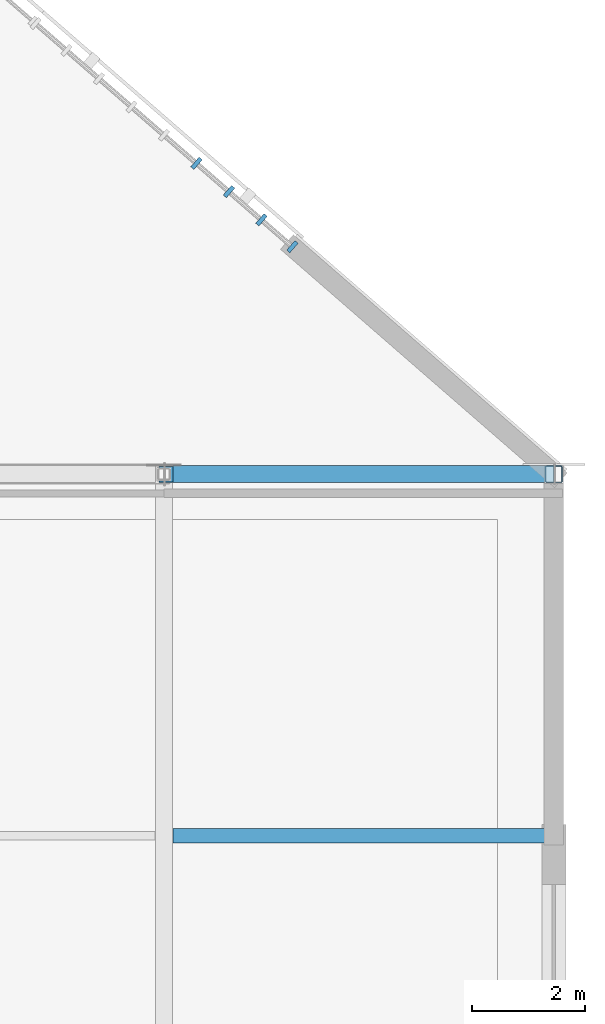
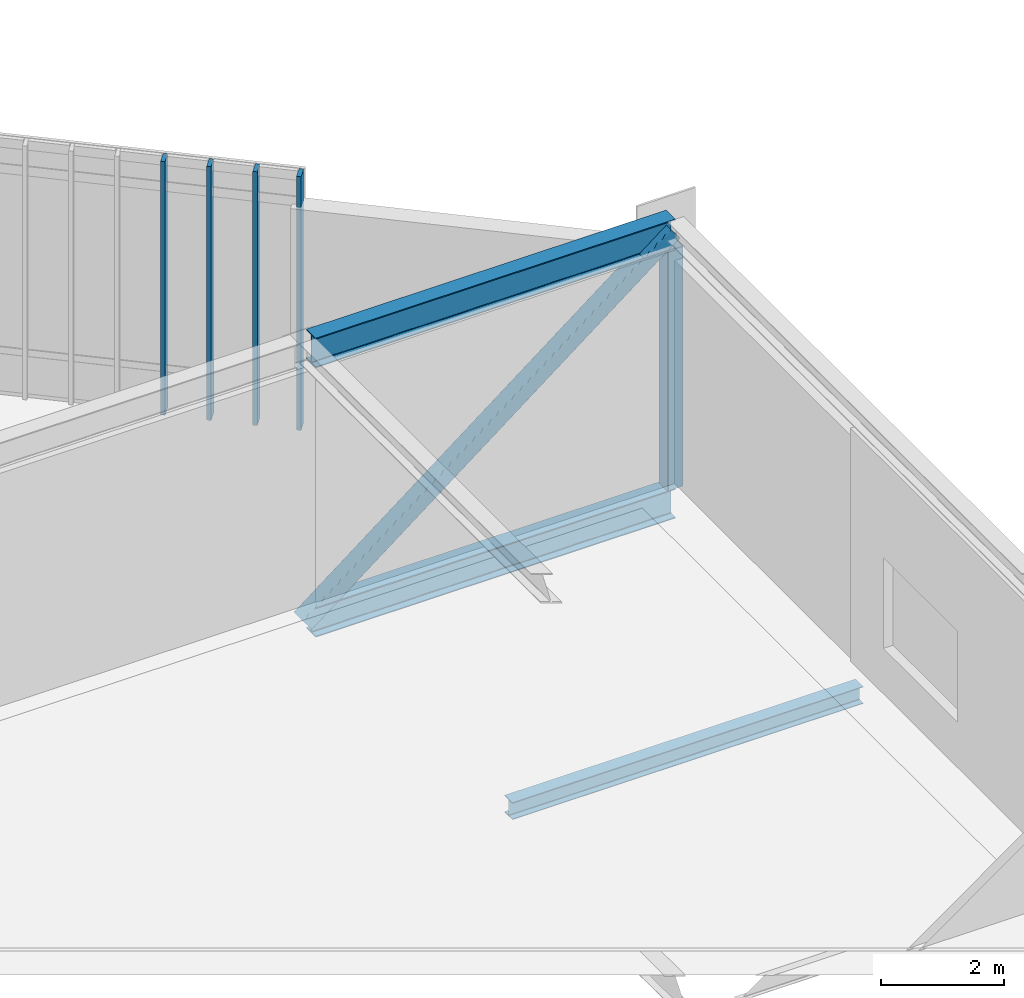
# One storey, part 41 of 135: 6 members, 3 beams, 1 element without a shape of its own.
"""IFC4 building model written with IfcOpenShell, lengths in metres."""

from ifc_helpers import new_model, si_unit, direction, frame, origin, origin_2d, place, context, subcontext, project, spatial, rectangle, hollow_rectangle, i_section, extrude, material, material_profile, profile_set, type_object, element, aggregate, save


model = new_model("IFC4")

# Units and contexts
model_context = context("Model", 3, precision=1e-05, world=origin(), true_north=direction((0.0, 1.0)))
body_context = subcontext(model_context, "Body", "Model", "MODEL_VIEW")
ifc_project = project(units=[si_unit("LENGTHUNIT", "METRE"), si_unit("AREAUNIT", "SQUARE_METRE"), si_unit("VOLUMEUNIT", "CUBIC_METRE"), si_unit("PLANEANGLEUNIT", "RADIAN"), si_unit("MASSUNIT", "GRAM", prefix="KILO")], contexts=[model_context])

# Site, building, storey
site_placement = place(None, origin())
site = spatial("IfcSite", under=ifc_project, at=site_placement, CompositionType="ELEMENT")
building_placement = place(site_placement, origin())
building = spatial("IfcBuilding", under=site, at=building_placement, Name="Larkvane Passage Sports Hall", CompositionType="ELEMENT")
storey_placement = place(building_placement, frame((0.0, 0.0, 16.800048828125)))
storey = spatial("IfcBuildingStorey", under=building, at=storey_placement, Name="L03", CompositionType="ELEMENT", Elevation=16.800048828125)

# Beams
ifc_material_1 = material(Name="Steel S460N", Category="steel")
ifc_material_profile_1 = material_profile(ifc_material_1, i_section(OverallWidth=0.300048828125, OverallDepth=0.587890625, WebThickness=0.011962890625, FlangeThickness=0.02001953125, FilletRadius=0.02197265625, at=origin_2d()), Name="H-588x300x12x20")
ifc_profile_set_1 = profile_set([ifc_material_profile_1], Name="Steel S460N")
beam_type_1 = type_object("IfcBeamType", Name="BM-STL-H588", PredefinedType="BEAM", material=ifc_profile_set_1)
for number, where, z_axis, x_axis, name in (
    (1, (159.655029296875, 39.60009765625, -0.614013671875), (1.0, 0.0, 0.0), (0.0, 1.0, 0.0), "Cantilever truss CT-E3A-2 bottom chord 5"),
    (2, (159.655029296875, 39.60009765625, 4.725830078125), (1.0, 0.0, 0.0), (0.0, 1.0, 0.0), "Cantilever truss CT-E3A-2 top chord 5"),
):
    element("IfcBeam", number, at=place(storey_placement, frame(where, z_axis=z_axis, x_axis=x_axis)), inside=storey, type_object=beam_type_1, Name=name, PredefinedType="BEAM", context=body_context, shape_type="SweptSolid", body=[
        extrude(i_section(OverallWidth=0.300048828125, OverallDepth=0.587890625, WebThickness=0.011962890625, FlangeThickness=0.02001953125, FilletRadius=0.02197265625, at=origin_2d()), origin(), (0.0, 0.0, 1.0), 6.744873046875),
    ])

# Curtain wall, members
ifc_material_2 = material(Name="Thermally broken aluminium and low-E glazing", Category="aluminium")
curtain_wall_type = type_object("IfcCurtainWallType", Name="CW-UNIT-VEIL", PredefinedType="USERDEFINED", material=ifc_material_2)
curtain_wall_placement = place(storey_placement, origin())
curtain_wall = element("IfcCurtainWall", 3, at=curtain_wall_placement, inside=storey, type_object=curtain_wall_type, Name="Curtain wall CW5-L03-113", ObjectType="UNITISED CURTAIN WALL", PredefinedType="USERDEFINED")
ifc_material_3 = material(Name="Anodised aluminium 6063-T6", Category="aluminium")
ifc_material_profile_2 = material_profile(ifc_material_3, rectangle(XDim=0.074951171875, YDim=0.22509765625, at=origin_2d()), Name="ALU-MUL-75x225")
ifc_profile_set_2 = profile_set([ifc_material_profile_2], Name="Anodised aluminium 6063-T6")
member_type_1 = type_object("IfcMemberType", Name="CW-MUL-75x225", PredefinedType="MULLION", material=ifc_profile_set_2)
member_1_placement = place(storey_placement, frame((160.074951171875, 45.10009765625, 0.0), z_axis=(0.0, 0.0, 1.0), x_axis=(0.754605522159, -0.65617871493, 0.0)))
member_1 = element("IfcMember", 4, at=member_1_placement, type_object=member_type_1, Name="CW-02 mullion 6", PredefinedType="MULLION", context=body_context, shape_type="SweptSolid", body=[
    extrude(rectangle(XDim=0.074951171875, YDim=0.22509765625, at=origin_2d()), origin(), (0.0, 0.0, 1.0), 5.030029296875),
])
member_2_placement = place(storey_placement, frame((160.64990234375, 44.60009765625, 0.0), z_axis=(0.0, 0.0, 1.0), x_axis=(0.754605522159, -0.65617871493, 0.0)))
member_2 = element("IfcMember", 5, at=member_2_placement, type_object=member_type_1, Name="CW-02 mullion 7", PredefinedType="MULLION", context=body_context, shape_type="SweptSolid", body=[
    extrude(rectangle(XDim=0.074951171875, YDim=0.22509765625, at=origin_2d()), origin(), (0.0, 0.0, 1.0), 5.030029296875),
])
member_3_placement = place(storey_placement, frame((161.22509765625, 44.10009765625, 0.0), z_axis=(0.0, 0.0, 1.0), x_axis=(0.754605522159, -0.65617871493, 0.0)))
member_3 = element("IfcMember", 6, at=member_3_placement, type_object=member_type_1, Name="CW-02 mullion 8", PredefinedType="MULLION", context=body_context, shape_type="SweptSolid", body=[
    extrude(rectangle(XDim=0.074951171875, YDim=0.22509765625, at=origin_2d()), origin(), (0.0, 0.0, 1.0), 5.030029296875),
])
member_4_placement = place(storey_placement, frame((161.771728515625, 43.62451171875, 0.0), z_axis=(0.0, 0.0, 1.0), x_axis=(0.754605522159, -0.65617871493, 0.0)))
member_4 = element("IfcMember", 7, at=member_4_placement, type_object=member_type_1, Name="CW-02 mullion 9", PredefinedType="MULLION", context=body_context, shape_type="SweptSolid", body=[
    extrude(rectangle(XDim=0.074951171875, YDim=0.22509765625, at=origin_2d()), origin(), (0.0, 0.0, 1.0), 5.030029296875),
])
aggregate(curtain_wall, [member_1, member_2, member_3, member_4])

# Beam
ifc_material_4 = material(Name="Steel S355JR", Category="steel")
ifc_material_profile_3 = material_profile(ifc_material_4, i_section(OverallWidth=0.25, OverallDepth=0.340087890625, WebThickness=0.009033203125, FlangeThickness=0.013916015625, FilletRadius=0.012939453125, at=origin_2d()), Name="H-340x250x9x14")
ifc_profile_set_3 = profile_set([ifc_material_profile_3], Name="Steel S355JR")
beam_type_2 = type_object("IfcBeamType", Name="JST-STL-H340", PredefinedType="JOIST", material=ifc_profile_set_3)
beam_placement = place(storey_placement, frame((159.659912109375, 33.199951171875, -0.489990234375), z_axis=(1.0, 0.0, 0.0), x_axis=(0.0, 1.0, 0.0)))
element("IfcBeam", 8, at=beam_placement, inside=storey, type_object=beam_type_2, Name="Cantilever floor joist CT-E3A--5-4", PredefinedType="JOIST", context=body_context, shape_type="SweptSolid", body=[
    extrude(i_section(OverallWidth=0.25, OverallDepth=0.340087890625, WebThickness=0.009033203125, FlangeThickness=0.013916015625, FilletRadius=0.012939453125, at=origin_2d()), origin(), (0.0, 0.0, 1.0), 6.580078125),
])

# Members
ifc_material_profile_4 = material_profile(ifc_material_1, hollow_rectangle(XDim=0.300048828125, YDim=0.300048828125, WallThickness=0.011962890625, InnerFilletRadius=0.011962890625, OuterFilletRadius=0.02392578125, at=origin_2d()), Name="SHS-300x300x12")
ifc_profile_set_4 = profile_set([ifc_material_profile_4], Name="Steel S460N")
member_type_2 = type_object("IfcMemberType", Name="MBR-BR-SHS300", PredefinedType="BRACE", material=ifc_profile_set_4)
member_5_placement = place(storey_placement, frame((159.5, 39.60009765625, -0.614013671875), z_axis=(0.790835550761, 0.0, 0.612028701658), x_axis=(0.0, 1.0, 0.0)))
element("IfcMember", 9, at=member_5_placement, inside=storey, type_object=member_type_2, Name="Cantilever truss CT-E3A-2 web diagonal 5", PredefinedType="BRACE", context=body_context, shape_type="SweptSolid", body=[
    extrude(hollow_rectangle(XDim=0.300048828125, YDim=0.300048828125, WallThickness=0.011962890625, InnerFilletRadius=0.011962890625, OuterFilletRadius=0.02392578125, at=origin_2d()), origin(), (0.0, 0.0, 1.0), 8.724853515625),
])
ifc_material_profile_5 = material_profile(ifc_material_1, hollow_rectangle(XDim=0.300048828125, YDim=0.300048828125, WallThickness=0.011962890625, InnerFilletRadius=0.011962890625, OuterFilletRadius=0.02392578125, at=origin_2d()), Name="SHS-300x300x12")
ifc_profile_set_5 = profile_set([ifc_material_profile_5], Name="Steel S460N")
member_type_3 = type_object("IfcMemberType", Name="MBR-ST-SHS300", PredefinedType="STRUT", material=ifc_profile_set_5)
member_6_placement = place(storey_placement, frame((166.39990234375, 39.60009765625, -0.320068359375), z_axis=(0.0, 0.0, 1.0), x_axis=(1.0, 0.0, 0.0)))
element("IfcMember", 10, at=member_6_placement, inside=storey, type_object=member_type_3, Name="Cantilever truss CT-E3A-2 vertical post 6", PredefinedType="STRUT", context=body_context, shape_type="SweptSolid", body=[
    extrude(hollow_rectangle(XDim=0.300048828125, YDim=0.300048828125, WallThickness=0.011962890625, InnerFilletRadius=0.011962890625, OuterFilletRadius=0.02392578125, at=origin_2d()), origin(), (0.0, 0.0, 1.0), 4.751953125),
])

save(model, "model.ifc")
